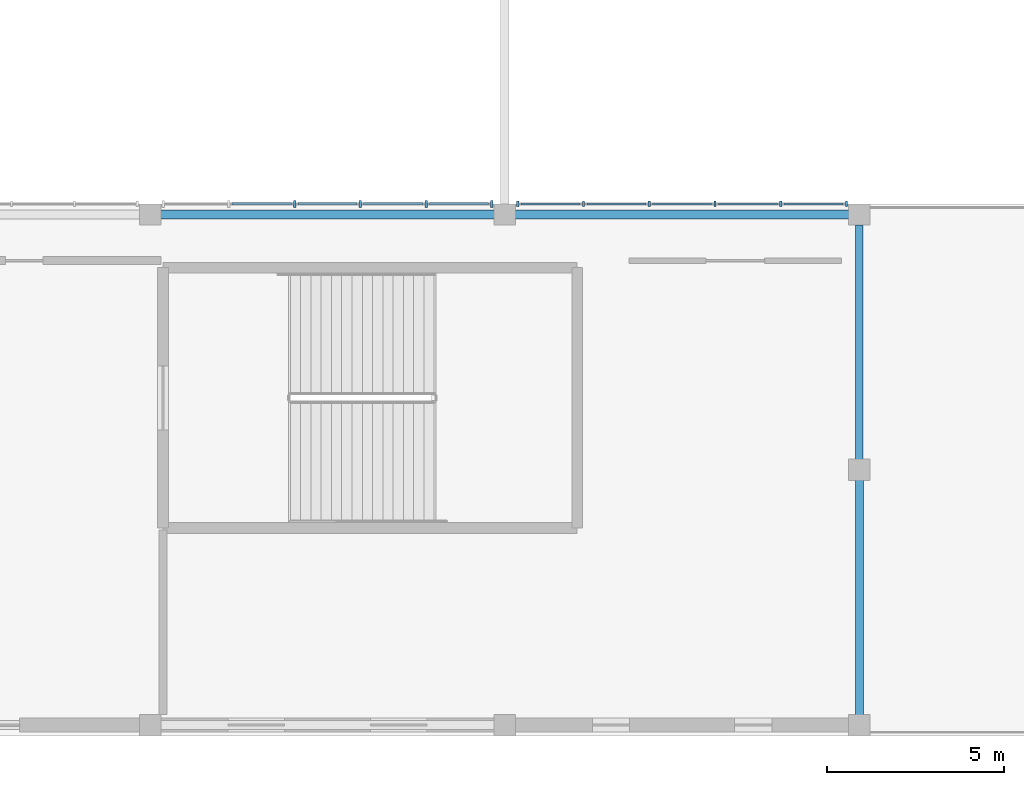
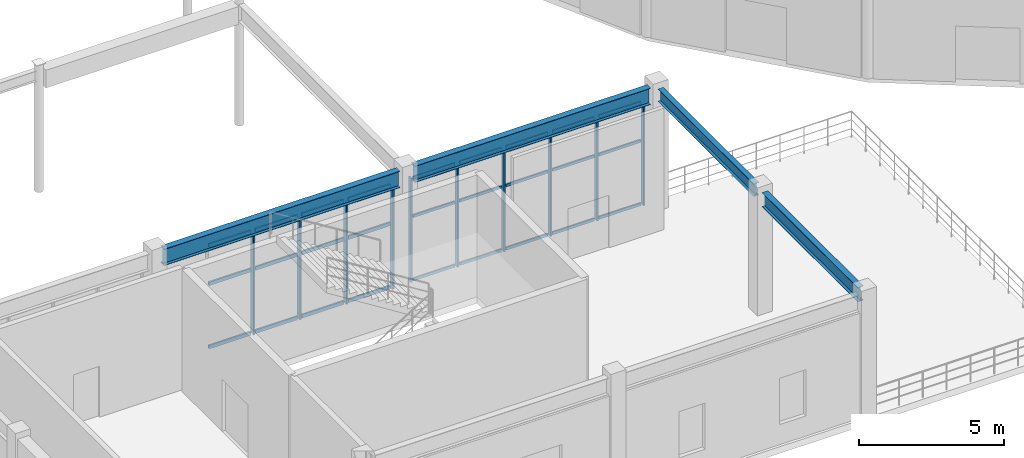
# One storey, part 23 of 93: 37 members, 4 beams, 2 elements without a shape of their own.
"""IFC4 building model written with IfcOpenShell, lengths in metres."""

from ifc_helpers import new_model, si_unit, direction, frame, origin, origin_2d, place, context, subcontext, project, spatial, rectangle, i_section, extrude, material, material_profile, profile_set, type_object, element, aggregate, save


model = new_model("IFC4")

# Units and contexts
model_context = context("Model", 3, precision=1e-05, world=origin(), true_north=direction((0.0, 1.0)))
body_context = subcontext(model_context, "Body", "Model", "MODEL_VIEW")
ifc_project = project(units=[si_unit("LENGTHUNIT", "METRE"), si_unit("AREAUNIT", "SQUARE_METRE"), si_unit("VOLUMEUNIT", "CUBIC_METRE"), si_unit("PLANEANGLEUNIT", "RADIAN"), si_unit("MASSUNIT", "GRAM", prefix="KILO")], contexts=[model_context])

# Site, building, storey
site_placement = place(None, origin())
site = spatial("IfcSite", under=ifc_project, at=site_placement, CompositionType="ELEMENT")
building_placement = place(site_placement, origin())
building = spatial("IfcBuilding", under=site, at=building_placement, Name="Cinderbank Siding Concert Hall", CompositionType="ELEMENT")
storey_placement = place(building_placement, origin())
storey = spatial("IfcBuildingStorey", under=building, at=storey_placement, Name="L01", CompositionType="ELEMENT", Elevation=0.0)

# Beams
ifc_material_1 = material(Name="Structural steel AS/NZS 3679.1 Grade 350 (340 MPa)", Category="steel")
ifc_material_profile_1 = material_profile(ifc_material_1, i_section(OverallWidth=0.208984375, OverallDepth=0.5283203125, WebThickness=0.009521484375, FlangeThickness=0.01318359375, at=origin_2d()), Name="530UB82.0", Category="LoadBearing")
ifc_profile_set_1 = profile_set([ifc_material_profile_1], Name="Structural steel AS/NZS 3679.1 Grade 350 (340 MPa)")
beam_type_1 = type_object("IfcBeamType", Name="BM-UB530 530UB82.0", PredefinedType="BEAM", material=ifc_profile_set_1)
beam_1_placement = place(storey_placement, frame((88.0, 13.592041015625, 4.8779296875), z_axis=(0.0, 1.0, 0.0), x_axis=(-1.0, 0.0, 0.0)))
element("IfcBeam", 1, at=beam_1_placement, inside=storey, type_object=beam_type_1, Name="L01 Beam BM-UB530 #1405", PredefinedType="BEAM", context=body_context, shape_type="SweptSolid", body=[
    extrude(i_section(OverallWidth=0.208984375, OverallDepth=0.5283203125, WebThickness=0.009521484375, FlangeThickness=0.01318359375, at=origin_2d()), origin(), (0.0, 0.0, 1.0), 6.615966796875),
])
ifc_material_profile_2 = material_profile(ifc_material_1, i_section(OverallWidth=0.22802734375, OverallDepth=0.602294921875, WebThickness=0.010498046875, FlangeThickness=0.014892578125, at=origin_2d()), Name="610UB101", Category="LoadBearing")
ifc_profile_set_2 = profile_set([ifc_material_profile_2], Name="Structural steel AS/NZS 3679.1 Grade 350 (340 MPa)")
beam_type_2 = type_object("IfcBeamType", Name="BM-UB610 610UB101", PredefinedType="BEAM", material=ifc_profile_set_2)
beam_2_placement = place(storey_placement, frame((88.0, 6.39208984375, 4.8408203125), z_axis=(0.0, 1.0, 0.0), x_axis=(-1.0, 0.0, 0.0)))
element("IfcBeam", 2, at=beam_2_placement, inside=storey, type_object=beam_type_2, Name="L01 Beam BM-UB610 #1404", PredefinedType="BEAM", context=body_context, shape_type="SweptSolid", body=[
    extrude(i_section(OverallWidth=0.22802734375, OverallDepth=0.602294921875, WebThickness=0.010498046875, FlangeThickness=0.014892578125, at=origin_2d()), origin(), (0.0, 0.0, 1.0), 6.615966796875),
])
ifc_material_2 = material(Name="Structural steel welded plate section AS/NZS 3679.2 / AS/NZS 3678 Grade 350 (340 MPa)", Category="steel")
ifc_material_profile_3 = material_profile(ifc_material_2, i_section(OverallWidth=0.25, OverallDepth=0.699951171875, WebThickness=0.010009765625, FlangeThickness=0.01611328125, at=origin_2d()), Name="700WB130", Category="LoadBearing")
ifc_profile_set_3 = profile_set([ifc_material_profile_3], Name="Structural steel welded plate section AS/NZS 3679.2 / AS/NZS 3678 Grade 350 (340 MPa)")
beam_type_3 = type_object("IfcBeamType", Name="BM-WB700 700WB130", PredefinedType="BEAM", material=ifc_profile_set_3)
for number, where, z_axis, x_axis, name in (
    (3, (68.2919921875, 20.5, 4.7919921875), (1.0, 0.0, 0.0), (0.0, 1.0, 0.0), "L01 Beam BM-WB700 #1400"),
    (4, (78.2919921875, 20.5, 4.7919921875), (1.0, 0.0, 0.0), (0.0, 1.0, 0.0), "L01 Beam BM-WB700 #1402"),
):
    element("IfcBeam", number, at=place(storey_placement, frame(where, z_axis=z_axis, x_axis=x_axis)), inside=storey, type_object=beam_type_3, Name=name, PredefinedType="BEAM", context=body_context, shape_type="SweptSolid", body=[
        extrude(i_section(OverallWidth=0.25, OverallDepth=0.699951171875, WebThickness=0.010009765625, FlangeThickness=0.01611328125, at=origin_2d()), origin(), (0.0, 0.0, 1.0), 9.416015625),
    ])

# Curtain wall, members
ifc_material_3 = material(Name="Anodised aluminium alloy 6063-T6", Category="aluminium")
curtain_wall_type = type_object("IfcCurtainWallType", Name="CW-16 Unitised Acoustic Curtain Wall 9200x3800", PredefinedType="NOTDEFINED", material=ifc_material_3)
curtain_wall_1_placement = place(storey_placement, origin())
curtain_wall_1 = element("IfcCurtainWall", 5, at=curtain_wall_1_placement, inside=storey, type_object=curtain_wall_type, Name="L01 Curtain Wall CW-16 #140", PredefinedType="NOTDEFINED")
ifc_material_profile_4 = material_profile(ifc_material_3, rectangle(XDim=0.06005859375, YDim=0.159912109375, at=origin_2d()), Name="ALU-MULL-60x160", Category="LoadBearing")
ifc_profile_set_4 = profile_set([ifc_material_profile_4], Name="Anodised aluminium alloy 6063-T6")
member_type_1 = type_object("IfcMemberType", Name="CW-ML1 Mullion 60x160", PredefinedType="MULLION", material=ifc_profile_set_4)
member_1_placement = place(storey_placement, frame((78.364990234375, 20.800048828125, 0.0), z_axis=(0.0, 0.0, 1.0), x_axis=(1.0, 0.0, 0.0)))
member_1 = element("IfcMember", 6, at=member_1_placement, type_object=member_type_1, Name="CW-L01-140 Mullion 0", PredefinedType="MULLION", context=body_context, shape_type="SweptSolid", body=[
    extrude(rectangle(XDim=0.06005859375, YDim=0.159912109375, at=origin_2d()), origin(), (0.0, 0.0, 1.0), 4.39990234375),
])
member_2_placement = place(storey_placement, frame((80.218994140625, 20.800048828125, 0.0), z_axis=(0.0, 0.0, 1.0), x_axis=(1.0, 0.0, 0.0)))
member_2 = element("IfcMember", 7, at=member_2_placement, type_object=member_type_1, Name="CW-L01-140 Mullion 1", PredefinedType="MULLION", context=body_context, shape_type="SweptSolid", body=[
    extrude(rectangle(XDim=0.06005859375, YDim=0.159912109375, at=origin_2d()), origin(), (0.0, 0.0, 1.0), 4.39990234375),
])
member_3_placement = place(storey_placement, frame((82.072998046875, 20.800048828125, 0.0), z_axis=(0.0, 0.0, 1.0), x_axis=(1.0, 0.0, 0.0)))
member_3 = element("IfcMember", 8, at=member_3_placement, type_object=member_type_1, Name="CW-L01-140 Mullion 2", PredefinedType="MULLION", context=body_context, shape_type="SweptSolid", body=[
    extrude(rectangle(XDim=0.06005859375, YDim=0.159912109375, at=origin_2d()), origin(), (0.0, 0.0, 1.0), 4.39990234375),
])
member_4_placement = place(storey_placement, frame((83.927001953125, 20.800048828125, 0.0), z_axis=(0.0, 0.0, 1.0), x_axis=(1.0, 0.0, 0.0)))
member_4 = element("IfcMember", 9, at=member_4_placement, type_object=member_type_1, Name="CW-L01-140 Mullion 3", PredefinedType="MULLION", context=body_context, shape_type="SweptSolid", body=[
    extrude(rectangle(XDim=0.06005859375, YDim=0.159912109375, at=origin_2d()), origin(), (0.0, 0.0, 1.0), 4.39990234375),
])
member_5_placement = place(storey_placement, frame((85.781005859375, 20.800048828125, 0.0), z_axis=(0.0, 0.0, 1.0), x_axis=(1.0, 0.0, 0.0)))
member_5 = element("IfcMember", 10, at=member_5_placement, type_object=member_type_1, Name="CW-L01-140 Mullion 4", PredefinedType="MULLION", context=body_context, shape_type="SweptSolid", body=[
    extrude(rectangle(XDim=0.06005859375, YDim=0.159912109375, at=origin_2d()), origin(), (0.0, 0.0, 1.0), 4.39990234375),
])
member_6_placement = place(storey_placement, frame((87.635009765625, 20.800048828125, 0.0), z_axis=(0.0, 0.0, 1.0), x_axis=(1.0, 0.0, 0.0)))
member_6 = element("IfcMember", 11, at=member_6_placement, type_object=member_type_1, Name="CW-L01-140 Mullion 5", PredefinedType="MULLION", context=body_context, shape_type="SweptSolid", body=[
    extrude(rectangle(XDim=0.06005859375, YDim=0.159912109375, at=origin_2d()), origin(), (0.0, 0.0, 1.0), 4.39990234375),
])

curtain_wall_2_placement = place(storey_placement, origin())
curtain_wall_2 = element("IfcCurtainWall", 12, at=curtain_wall_2_placement, inside=storey, type_object=curtain_wall_type, Name="L01 Curtain Wall CW-16 #139", PredefinedType="NOTDEFINED")
ifc_material_profile_5 = material_profile(ifc_material_3, rectangle(XDim=0.06494140625, YDim=0.199951171875, at=origin_2d()), Name="ALU-MULL-65x200", Category="LoadBearing")
ifc_profile_set_5 = profile_set([ifc_material_profile_5], Name="Anodised aluminium alloy 6063-T6")
member_type_2 = type_object("IfcMemberType", Name="CW-ML2 Mullion 65x200", PredefinedType="MULLION", material=ifc_profile_set_5)
member_7_placement = place(storey_placement, frame((72.072998046875, 20.800048828125, 0.0), z_axis=(0.0, 0.0, 1.0), x_axis=(1.0, 0.0, 0.0)))
member_7 = element("IfcMember", 13, at=member_7_placement, type_object=member_type_2, Name="CW-L01-139 Mullion 2", PredefinedType="MULLION", context=body_context, shape_type="SweptSolid", body=[
    extrude(rectangle(XDim=0.06494140625, YDim=0.199951171875, at=origin_2d()), origin(), (0.0, 0.0, 1.0), 4.39990234375),
])
member_8_placement = place(storey_placement, frame((73.927001953125, 20.800048828125, 0.0), z_axis=(0.0, 0.0, 1.0), x_axis=(1.0, 0.0, 0.0)))
member_8 = element("IfcMember", 14, at=member_8_placement, type_object=member_type_2, Name="CW-L01-139 Mullion 3", PredefinedType="MULLION", context=body_context, shape_type="SweptSolid", body=[
    extrude(rectangle(XDim=0.06494140625, YDim=0.199951171875, at=origin_2d()), origin(), (0.0, 0.0, 1.0), 4.39990234375),
])
member_9_placement = place(storey_placement, frame((75.781005859375, 20.800048828125, 0.0), z_axis=(0.0, 0.0, 1.0), x_axis=(1.0, 0.0, 0.0)))
member_9 = element("IfcMember", 15, at=member_9_placement, type_object=member_type_2, Name="CW-L01-139 Mullion 4", PredefinedType="MULLION", context=body_context, shape_type="SweptSolid", body=[
    extrude(rectangle(XDim=0.06494140625, YDim=0.199951171875, at=origin_2d()), origin(), (0.0, 0.0, 1.0), 4.39990234375),
])
member_10_placement = place(storey_placement, frame((77.635009765625, 20.800048828125, 0.0), z_axis=(0.0, 0.0, 1.0), x_axis=(1.0, 0.0, 0.0)))
member_10 = element("IfcMember", 16, at=member_10_placement, type_object=member_type_2, Name="CW-L01-139 Mullion 5", PredefinedType="MULLION", context=body_context, shape_type="SweptSolid", body=[
    extrude(rectangle(XDim=0.06494140625, YDim=0.199951171875, at=origin_2d()), origin(), (0.0, 0.0, 1.0), 4.39990234375),
])

# Member
ifc_material_profile_6 = material_profile(ifc_material_3, rectangle(XDim=0.06005859375, YDim=0.1201171875, at=origin_2d()), Name="ALU-TRAN-60x120", Category="LoadBearing")
ifc_profile_set_6 = profile_set([ifc_material_profile_6], Name="Anodised aluminium alloy 6063-T6")
member_type_3 = type_object("IfcMemberType", Name="CW-TR1 Transom 60x120", PredefinedType="USERDEFINED", material=ifc_profile_set_6)
member_11_placement = place(storey_placement, frame((78.457763671875, 20.800048828125, 0.06005859375), z_axis=(1.0, 0.0, 0.0), x_axis=(0.0, 1.0, 0.0)))
member_11 = element("IfcMember", 17, at=member_11_placement, type_object=member_type_3, Name="CW-L01-140 Transom 0-0", ObjectType="TRANSOM", PredefinedType="USERDEFINED", context=body_context, shape_type="SweptSolid", body=[
    extrude(rectangle(XDim=0.06005859375, YDim=0.1201171875, at=origin_2d()), origin(), (0.0, 0.0, 1.0), 1.66845703125),
])

member_12_placement = place(storey_placement, frame((78.457763671875, 20.800048828125, 2.72802734375), z_axis=(1.0, 0.0, 0.0), x_axis=(0.0, 1.0, 0.0)))
member_12 = element("IfcMember", 18, at=member_12_placement, type_object=member_type_3, Name="CW-L01-140 Transom 0-1", ObjectType="TRANSOM", PredefinedType="USERDEFINED", context=body_context, shape_type="SweptSolid", body=[
    extrude(rectangle(XDim=0.06005859375, YDim=0.1201171875, at=origin_2d()), origin(), (0.0, 0.0, 1.0), 1.66845703125),
])

member_13_placement = place(storey_placement, frame((78.457763671875, 20.800048828125, 4.340087890625), z_axis=(1.0, 0.0, 0.0), x_axis=(0.0, 1.0, 0.0)))
member_13 = element("IfcMember", 19, at=member_13_placement, type_object=member_type_3, Name="CW-L01-140 Transom 0-2", ObjectType="TRANSOM", PredefinedType="USERDEFINED", context=body_context, shape_type="SweptSolid", body=[
    extrude(rectangle(XDim=0.06005859375, YDim=0.1201171875, at=origin_2d()), origin(), (0.0, 0.0, 1.0), 1.66845703125),
])

member_14_placement = place(storey_placement, frame((80.311767578125, 20.800048828125, 0.06005859375), z_axis=(1.0, 0.0, 0.0), x_axis=(0.0, 1.0, 0.0)))
member_14 = element("IfcMember", 20, at=member_14_placement, type_object=member_type_3, Name="CW-L01-140 Transom 1-0", ObjectType="TRANSOM", PredefinedType="USERDEFINED", context=body_context, shape_type="SweptSolid", body=[
    extrude(rectangle(XDim=0.06005859375, YDim=0.1201171875, at=origin_2d()), origin(), (0.0, 0.0, 1.0), 1.66845703125),
])

member_15_placement = place(storey_placement, frame((80.311767578125, 20.800048828125, 2.72802734375), z_axis=(1.0, 0.0, 0.0), x_axis=(0.0, 1.0, 0.0)))
member_15 = element("IfcMember", 21, at=member_15_placement, type_object=member_type_3, Name="CW-L01-140 Transom 1-1", ObjectType="TRANSOM", PredefinedType="USERDEFINED", context=body_context, shape_type="SweptSolid", body=[
    extrude(rectangle(XDim=0.06005859375, YDim=0.1201171875, at=origin_2d()), origin(), (0.0, 0.0, 1.0), 1.66845703125),
])

member_16_placement = place(storey_placement, frame((80.311767578125, 20.800048828125, 4.340087890625), z_axis=(1.0, 0.0, 0.0), x_axis=(0.0, 1.0, 0.0)))
member_16 = element("IfcMember", 22, at=member_16_placement, type_object=member_type_3, Name="CW-L01-140 Transom 1-2", ObjectType="TRANSOM", PredefinedType="USERDEFINED", context=body_context, shape_type="SweptSolid", body=[
    extrude(rectangle(XDim=0.06005859375, YDim=0.1201171875, at=origin_2d()), origin(), (0.0, 0.0, 1.0), 1.66845703125),
])

member_17_placement = place(storey_placement, frame((82.165771484375, 20.800048828125, 0.06005859375), z_axis=(1.0, 0.0, 0.0), x_axis=(0.0, 1.0, 0.0)))
member_17 = element("IfcMember", 23, at=member_17_placement, type_object=member_type_3, Name="CW-L01-140 Transom 2-0", ObjectType="TRANSOM", PredefinedType="USERDEFINED", context=body_context, shape_type="SweptSolid", body=[
    extrude(rectangle(XDim=0.06005859375, YDim=0.1201171875, at=origin_2d()), origin(), (0.0, 0.0, 1.0), 1.66845703125),
])

member_18_placement = place(storey_placement, frame((82.165771484375, 20.800048828125, 2.72802734375), z_axis=(1.0, 0.0, 0.0), x_axis=(0.0, 1.0, 0.0)))
member_18 = element("IfcMember", 24, at=member_18_placement, type_object=member_type_3, Name="CW-L01-140 Transom 2-1", ObjectType="TRANSOM", PredefinedType="USERDEFINED", context=body_context, shape_type="SweptSolid", body=[
    extrude(rectangle(XDim=0.06005859375, YDim=0.1201171875, at=origin_2d()), origin(), (0.0, 0.0, 1.0), 1.66845703125),
])

member_19_placement = place(storey_placement, frame((82.165771484375, 20.800048828125, 4.340087890625), z_axis=(1.0, 0.0, 0.0), x_axis=(0.0, 1.0, 0.0)))
member_19 = element("IfcMember", 25, at=member_19_placement, type_object=member_type_3, Name="CW-L01-140 Transom 2-2", ObjectType="TRANSOM", PredefinedType="USERDEFINED", context=body_context, shape_type="SweptSolid", body=[
    extrude(rectangle(XDim=0.06005859375, YDim=0.1201171875, at=origin_2d()), origin(), (0.0, 0.0, 1.0), 1.66845703125),
])

member_20_placement = place(storey_placement, frame((84.019775390625, 20.800048828125, 0.06005859375), z_axis=(1.0, 0.0, 0.0), x_axis=(0.0, 1.0, 0.0)))
member_20 = element("IfcMember", 26, at=member_20_placement, type_object=member_type_3, Name="CW-L01-140 Transom 3-0", ObjectType="TRANSOM", PredefinedType="USERDEFINED", context=body_context, shape_type="SweptSolid", body=[
    extrude(rectangle(XDim=0.06005859375, YDim=0.1201171875, at=origin_2d()), origin(), (0.0, 0.0, 1.0), 1.66845703125),
])

member_21_placement = place(storey_placement, frame((84.019775390625, 20.800048828125, 2.72802734375), z_axis=(1.0, 0.0, 0.0), x_axis=(0.0, 1.0, 0.0)))
member_21 = element("IfcMember", 27, at=member_21_placement, type_object=member_type_3, Name="CW-L01-140 Transom 3-1", ObjectType="TRANSOM", PredefinedType="USERDEFINED", context=body_context, shape_type="SweptSolid", body=[
    extrude(rectangle(XDim=0.06005859375, YDim=0.1201171875, at=origin_2d()), origin(), (0.0, 0.0, 1.0), 1.66845703125),
])

member_22_placement = place(storey_placement, frame((84.019775390625, 20.800048828125, 4.340087890625), z_axis=(1.0, 0.0, 0.0), x_axis=(0.0, 1.0, 0.0)))
member_22 = element("IfcMember", 28, at=member_22_placement, type_object=member_type_3, Name="CW-L01-140 Transom 3-2", ObjectType="TRANSOM", PredefinedType="USERDEFINED", context=body_context, shape_type="SweptSolid", body=[
    extrude(rectangle(XDim=0.06005859375, YDim=0.1201171875, at=origin_2d()), origin(), (0.0, 0.0, 1.0), 1.66845703125),
])

member_23_placement = place(storey_placement, frame((85.873779296875, 20.800048828125, 0.06005859375), z_axis=(1.0, 0.0, 0.0), x_axis=(0.0, 1.0, 0.0)))
member_23 = element("IfcMember", 29, at=member_23_placement, type_object=member_type_3, Name="CW-L01-140 Transom 4-0", ObjectType="TRANSOM", PredefinedType="USERDEFINED", context=body_context, shape_type="SweptSolid", body=[
    extrude(rectangle(XDim=0.06005859375, YDim=0.1201171875, at=origin_2d()), origin(), (0.0, 0.0, 1.0), 1.66845703125),
])

member_24_placement = place(storey_placement, frame((85.873779296875, 20.800048828125, 2.72802734375), z_axis=(1.0, 0.0, 0.0), x_axis=(0.0, 1.0, 0.0)))
member_24 = element("IfcMember", 30, at=member_24_placement, type_object=member_type_3, Name="CW-L01-140 Transom 4-1", ObjectType="TRANSOM", PredefinedType="USERDEFINED", context=body_context, shape_type="SweptSolid", body=[
    extrude(rectangle(XDim=0.06005859375, YDim=0.1201171875, at=origin_2d()), origin(), (0.0, 0.0, 1.0), 1.66845703125),
])

member_25_placement = place(storey_placement, frame((85.873779296875, 20.800048828125, 4.340087890625), z_axis=(1.0, 0.0, 0.0), x_axis=(0.0, 1.0, 0.0)))
member_25 = element("IfcMember", 31, at=member_25_placement, type_object=member_type_3, Name="CW-L01-140 Transom 4-2", ObjectType="TRANSOM", PredefinedType="USERDEFINED", context=body_context, shape_type="SweptSolid", body=[
    extrude(rectangle(XDim=0.06005859375, YDim=0.1201171875, at=origin_2d()), origin(), (0.0, 0.0, 1.0), 1.66845703125),
])

aggregate(curtain_wall_1, [member_1, member_2, member_3, member_4, member_5, member_6, member_11, member_12, member_13, member_14, member_15, member_16, member_17, member_18, member_19, member_20, member_21, member_22, member_23, member_24, member_25])

ifc_material_profile_7 = material_profile(ifc_material_3, rectangle(XDim=0.06494140625, YDim=0.14990234375, at=origin_2d()), Name="ALU-TRAN-65x150", Category="LoadBearing")
ifc_profile_set_7 = profile_set([ifc_material_profile_7], Name="Anodised aluminium alloy 6063-T6")
member_type_4 = type_object("IfcMemberType", Name="CW-TR2 Transom 65x150", PredefinedType="USERDEFINED", material=ifc_profile_set_7)
member_26_placement = place(storey_placement, frame((70.311767578125, 20.800048828125, 0.06005859375), z_axis=(1.0, 0.0, 0.0), x_axis=(0.0, 1.0, 0.0)))
member_26 = element("IfcMember", 32, at=member_26_placement, type_object=member_type_4, Name="CW-L01-139 Transom 1-0", ObjectType="TRANSOM", PredefinedType="USERDEFINED", context=body_context, shape_type="SweptSolid", body=[
    extrude(rectangle(XDim=0.06494140625, YDim=0.14990234375, at=origin_2d()), origin(), (0.0, 0.0, 1.0), 1.66845703125),
])

member_27_placement = place(storey_placement, frame((70.311767578125, 20.800048828125, 2.72802734375), z_axis=(1.0, 0.0, 0.0), x_axis=(0.0, 1.0, 0.0)))
member_27 = element("IfcMember", 33, at=member_27_placement, type_object=member_type_4, Name="CW-L01-139 Transom 1-1", ObjectType="TRANSOM", PredefinedType="USERDEFINED", context=body_context, shape_type="SweptSolid", body=[
    extrude(rectangle(XDim=0.06494140625, YDim=0.14990234375, at=origin_2d()), origin(), (0.0, 0.0, 1.0), 1.66845703125),
])

member_28_placement = place(storey_placement, frame((70.311767578125, 20.800048828125, 4.340087890625), z_axis=(1.0, 0.0, 0.0), x_axis=(0.0, 1.0, 0.0)))
member_28 = element("IfcMember", 34, at=member_28_placement, type_object=member_type_4, Name="CW-L01-139 Transom 1-2", ObjectType="TRANSOM", PredefinedType="USERDEFINED", context=body_context, shape_type="SweptSolid", body=[
    extrude(rectangle(XDim=0.06494140625, YDim=0.14990234375, at=origin_2d()), origin(), (0.0, 0.0, 1.0), 1.66845703125),
])

member_29_placement = place(storey_placement, frame((72.165771484375, 20.800048828125, 0.06005859375), z_axis=(1.0, 0.0, 0.0), x_axis=(0.0, 1.0, 0.0)))
member_29 = element("IfcMember", 35, at=member_29_placement, type_object=member_type_4, Name="CW-L01-139 Transom 2-0", ObjectType="TRANSOM", PredefinedType="USERDEFINED", context=body_context, shape_type="SweptSolid", body=[
    extrude(rectangle(XDim=0.06494140625, YDim=0.14990234375, at=origin_2d()), origin(), (0.0, 0.0, 1.0), 1.66845703125),
])

member_30_placement = place(storey_placement, frame((72.165771484375, 20.800048828125, 2.72802734375), z_axis=(1.0, 0.0, 0.0), x_axis=(0.0, 1.0, 0.0)))
member_30 = element("IfcMember", 36, at=member_30_placement, type_object=member_type_4, Name="CW-L01-139 Transom 2-1", ObjectType="TRANSOM", PredefinedType="USERDEFINED", context=body_context, shape_type="SweptSolid", body=[
    extrude(rectangle(XDim=0.06494140625, YDim=0.14990234375, at=origin_2d()), origin(), (0.0, 0.0, 1.0), 1.66845703125),
])

member_31_placement = place(storey_placement, frame((72.165771484375, 20.800048828125, 4.340087890625), z_axis=(1.0, 0.0, 0.0), x_axis=(0.0, 1.0, 0.0)))
member_31 = element("IfcMember", 37, at=member_31_placement, type_object=member_type_4, Name="CW-L01-139 Transom 2-2", ObjectType="TRANSOM", PredefinedType="USERDEFINED", context=body_context, shape_type="SweptSolid", body=[
    extrude(rectangle(XDim=0.06494140625, YDim=0.14990234375, at=origin_2d()), origin(), (0.0, 0.0, 1.0), 1.66845703125),
])

member_32_placement = place(storey_placement, frame((74.019775390625, 20.800048828125, 0.06005859375), z_axis=(1.0, 0.0, 0.0), x_axis=(0.0, 1.0, 0.0)))
member_32 = element("IfcMember", 38, at=member_32_placement, type_object=member_type_4, Name="CW-L01-139 Transom 3-0", ObjectType="TRANSOM", PredefinedType="USERDEFINED", context=body_context, shape_type="SweptSolid", body=[
    extrude(rectangle(XDim=0.06494140625, YDim=0.14990234375, at=origin_2d()), origin(), (0.0, 0.0, 1.0), 1.66845703125),
])

member_33_placement = place(storey_placement, frame((74.019775390625, 20.800048828125, 2.72802734375), z_axis=(1.0, 0.0, 0.0), x_axis=(0.0, 1.0, 0.0)))
member_33 = element("IfcMember", 39, at=member_33_placement, type_object=member_type_4, Name="CW-L01-139 Transom 3-1", ObjectType="TRANSOM", PredefinedType="USERDEFINED", context=body_context, shape_type="SweptSolid", body=[
    extrude(rectangle(XDim=0.06494140625, YDim=0.14990234375, at=origin_2d()), origin(), (0.0, 0.0, 1.0), 1.66845703125),
])

member_34_placement = place(storey_placement, frame((74.019775390625, 20.800048828125, 4.340087890625), z_axis=(1.0, 0.0, 0.0), x_axis=(0.0, 1.0, 0.0)))
member_34 = element("IfcMember", 40, at=member_34_placement, type_object=member_type_4, Name="CW-L01-139 Transom 3-2", ObjectType="TRANSOM", PredefinedType="USERDEFINED", context=body_context, shape_type="SweptSolid", body=[
    extrude(rectangle(XDim=0.06494140625, YDim=0.14990234375, at=origin_2d()), origin(), (0.0, 0.0, 1.0), 1.66845703125),
])

member_35_placement = place(storey_placement, frame((75.873779296875, 20.800048828125, 0.06005859375), z_axis=(1.0, 0.0, 0.0), x_axis=(0.0, 1.0, 0.0)))
member_35 = element("IfcMember", 41, at=member_35_placement, type_object=member_type_4, Name="CW-L01-139 Transom 4-0", ObjectType="TRANSOM", PredefinedType="USERDEFINED", context=body_context, shape_type="SweptSolid", body=[
    extrude(rectangle(XDim=0.06494140625, YDim=0.14990234375, at=origin_2d()), origin(), (0.0, 0.0, 1.0), 1.66845703125),
])

member_36_placement = place(storey_placement, frame((75.873779296875, 20.800048828125, 2.72802734375), z_axis=(1.0, 0.0, 0.0), x_axis=(0.0, 1.0, 0.0)))
member_36 = element("IfcMember", 42, at=member_36_placement, type_object=member_type_4, Name="CW-L01-139 Transom 4-1", ObjectType="TRANSOM", PredefinedType="USERDEFINED", context=body_context, shape_type="SweptSolid", body=[
    extrude(rectangle(XDim=0.06494140625, YDim=0.14990234375, at=origin_2d()), origin(), (0.0, 0.0, 1.0), 1.66845703125),
])

member_37_placement = place(storey_placement, frame((75.873779296875, 20.800048828125, 4.340087890625), z_axis=(1.0, 0.0, 0.0), x_axis=(0.0, 1.0, 0.0)))
member_37 = element("IfcMember", 43, at=member_37_placement, type_object=member_type_4, Name="CW-L01-139 Transom 4-2", ObjectType="TRANSOM", PredefinedType="USERDEFINED", context=body_context, shape_type="SweptSolid", body=[
    extrude(rectangle(XDim=0.06494140625, YDim=0.14990234375, at=origin_2d()), origin(), (0.0, 0.0, 1.0), 1.66845703125),
])

aggregate(curtain_wall_2, [member_7, member_8, member_9, member_10, member_26, member_27, member_28, member_29, member_30, member_31, member_32, member_33, member_34, member_35, member_36, member_37])

save(model, "model.ifc")
